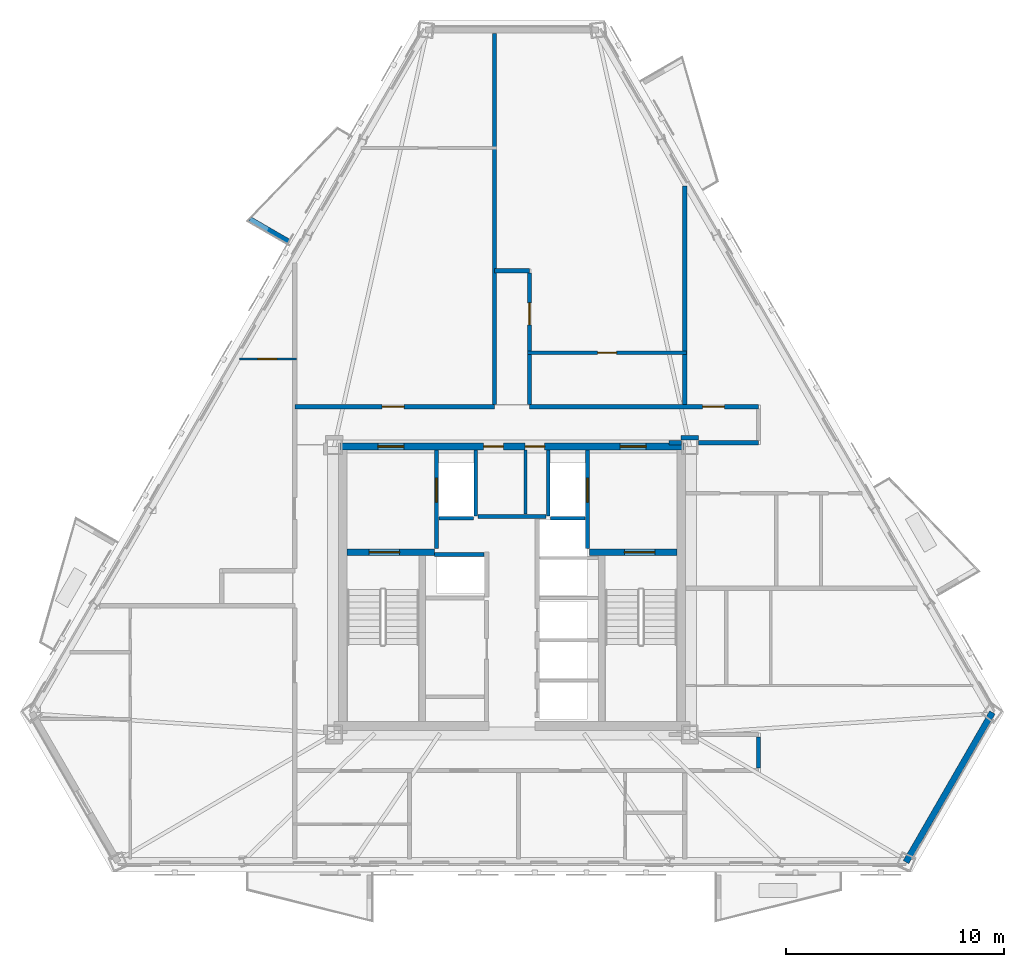
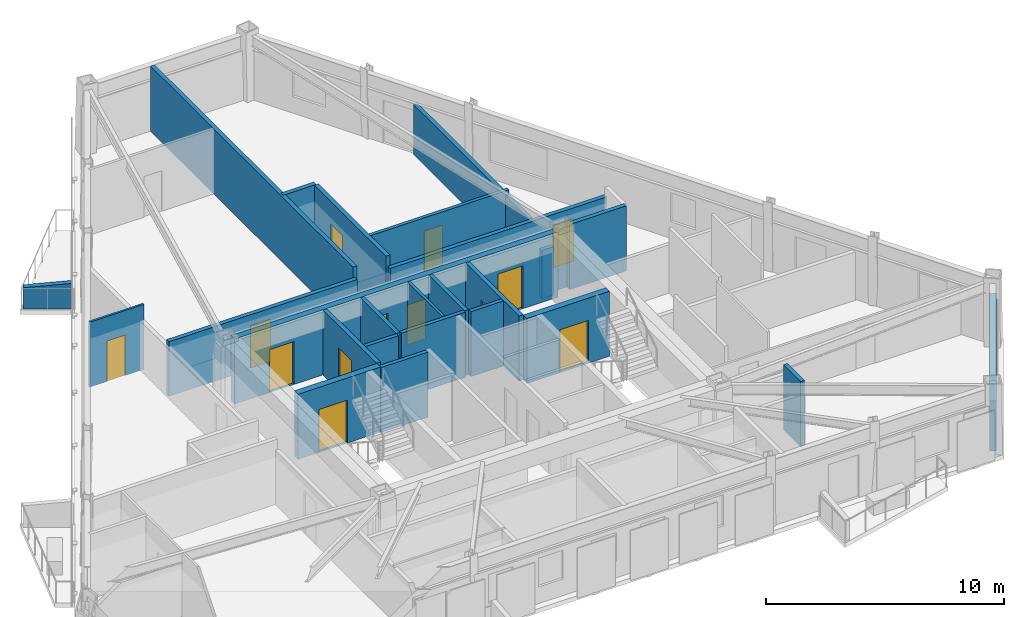
# One storey, part 4 of 9: 26 walls, 13 doors, 13 openings.
"""IFC4 building model written with IfcOpenShell, lengths in metres."""

import ifcopenshell
import ifcopenshell.guid

model = None  # the IFC model being written
_history = None  # IfcOwnerHistory: only IFC2X3 demands one
_inside = {}  # id of a spatial element -> (the spatial element, [elements in it])
_under = {}  # id of a project, library or spatial element -> (it, [spatial elements below it])
_declared = {}  # id of a project -> (the project, [libraries it declares])
_typed = {}  # id of a type object -> (the type object, [elements of that type])
_made_of = {}  # id of a material, layer set ... -> (it, [elements and type objects made of it])


def new_model(schema):
    """Start an empty IFC model of exactly this schema.

    Asked for "IFC4X3", IfcOpenShell would pick the latest addendum, in which some entities
    have other attributes; the version numbers below select the first issue.
    IFC2X3 requires an IfcOwnerHistory on every rooted entity: one is made here for all.
    """
    global model, _history
    if schema == "IFC4X3":
        model = ifcopenshell.file(schema_version=(4, 3, 0, 0))
    else:
        model = ifcopenshell.file(schema=schema)
    _inside.clear()
    _under.clear()
    _declared.clear()
    _typed.clear()
    _made_of.clear()
    _history = None
    if model.schema == "IFC2X3":
        org = make("IfcOrganization", Name="unknown")
        user = make(
            "IfcPersonAndOrganization",
            ThePerson=make("IfcPerson", FamilyName="unknown"),
            TheOrganization=org,
        )
        app = make(
            "IfcApplication",
            ApplicationDeveloper=org,
            Version="unknown",
            ApplicationFullName="unknown",
            ApplicationIdentifier="unknown",
        )
        _history = make(
            "IfcOwnerHistory",
            OwningUser=user,
            OwningApplication=app,
            ChangeAction="ADDED",
            CreationDate=0,
        )
    return model


def make(cls, **values):
    """One entity of the class cls with the attributes given. An attribute that is None is left unset."""
    return model.create_entity(
        cls, **{name: value for name, value in values.items() if value is not None}
    )


def rooted(cls, **values):
    """An entity with a GlobalId (a new one), such as an element, a storey or a relation."""
    return make(cls, GlobalId=ifcopenshell.guid.new(), OwnerHistory=_history, **values)


def si_unit(unit_type, name, prefix=None):
    """IfcSIUnit, for example si_unit("LENGTHUNIT", "METRE", prefix="MILLI")."""
    return make("IfcSIUnit", UnitType=unit_type, Prefix=prefix, Name=name)


def assignment(units):
    """IfcUnitAssignment: the units of a project."""
    return None if units is None else make("IfcUnitAssignment", Units=units)


def point(xyz):
    """IfcCartesianPoint."""
    return None if xyz is None else make("IfcCartesianPoint", Coordinates=xyz)


def direction(xyz):
    """IfcDirection."""
    return None if xyz is None else make("IfcDirection", DirectionRatios=xyz)


def frame(location, z_axis=None, x_axis=None):
    """IfcAxis2Placement3D, a coordinate frame: its origin and axes. An axis left out is left unset."""
    return make(
        "IfcAxis2Placement3D",
        Location=point(location),
        Axis=direction(z_axis),
        RefDirection=direction(x_axis),
    )


def frame_2d(location, x_axis=None):
    """IfcAxis2Placement2D, a coordinate frame in the plane: its origin and x axis."""
    return make(
        "IfcAxis2Placement2D", Location=point(location), RefDirection=direction(x_axis)
    )


def origin():
    """The frame at (0, 0, 0) with its axes left unset."""
    return frame((0.0, 0.0, 0.0))


def place(relative_to, where):
    """IfcLocalPlacement: puts the frame where relative to a parent placement (None: the world)."""
    return make(
        "IfcLocalPlacement", PlacementRelTo=relative_to, RelativePlacement=where
    )


def context(
    kind, dimensions, precision=None, world=None, true_north=None, identifier=None
):
    """IfcGeometricRepresentationContext, for example the 3D "Model" context."""
    return make(
        "IfcGeometricRepresentationContext",
        ContextIdentifier=identifier,
        ContextType=kind,
        CoordinateSpaceDimension=dimensions,
        Precision=precision,
        WorldCoordinateSystem=world,
        TrueNorth=true_north,
    )


def subcontext(parent, identifier, kind, view, scale=None):
    """IfcGeometricRepresentationSubContext, for example "Body" below "Model"."""
    return make(
        "IfcGeometricRepresentationSubContext",
        ContextIdentifier=identifier,
        ContextType=kind,
        ParentContext=parent,
        TargetScale=scale,
        TargetView=view,
    )


def project(units=None, contexts=None):
    """IfcProject with its units and contexts."""
    return rooted(
        "IfcProject",
        Name="project",
        RepresentationContexts=contexts,
        UnitsInContext=assignment(units),
    )


def spatial(cls, under=None, at=None, **own):
    """A site, building, storey or space (cls), placed at a placement, below another one or the project."""
    s = rooted(cls, ObjectPlacement=at, **own)
    if under is not None:
        _under.setdefault(under.id(), (under, []))[1].append(s)
    return s


def polyline(points):
    """IfcPolyline through the points."""
    return make("IfcPolyline", Points=[point(p) for p in points])


def profile(cls, at=None, kind="AREA", **sizes):
    """A parametric profile (cls). Its sizes go by their IFC names, for example OverallWidth=200.0."""
    return make(cls, ProfileType=kind, Position=at, **sizes)


def rectangle(**sizes):
    """IfcRectangleProfileDef."""
    return profile("IfcRectangleProfileDef", **sizes)


def outline(outer, holes=None, kind="AREA"):
    """IfcArbitraryClosedProfileDef: a profile drawn as a closed curve; with holes, ...WithVoids."""
    if holes is None:
        return make("IfcArbitraryClosedProfileDef", ProfileType=kind, OuterCurve=outer)
    return make(
        "IfcArbitraryProfileDefWithVoids",
        ProfileType=kind,
        OuterCurve=outer,
        InnerCurves=holes,
    )


def extrude(swept, where, along, depth):
    """IfcExtrudedAreaSolid: the profile swept, set in the frame where, extruded along a direction by depth."""
    return make(
        "IfcExtrudedAreaSolid",
        SweptArea=swept,
        Position=where,
        ExtrudedDirection=direction(along),
        Depth=depth,
    )


def shape(context_of_items, identifier, shape_type, items):
    """IfcShapeRepresentation: the items that make up one representation, for example the "Body"."""
    return make(
        "IfcShapeRepresentation",
        ContextOfItems=context_of_items,
        RepresentationIdentifier=identifier,
        RepresentationType=shape_type,
        Items=items,
    )


def material(Name=None, Category=None):
    """IfcMaterial."""
    return make("IfcMaterial", Name=Name, Category=Category)


def layer(
    of_material, thickness, ventilated=None, Name=None, Category=None, Priority=None
):
    """IfcMaterialLayer: one layer of a wall or slab, of a material (None: an air gap)."""
    return make(
        "IfcMaterialLayer",
        Material=of_material,
        LayerThickness=thickness,
        IsVentilated=ventilated,
        Name=Name,
        Category=Category,
        Priority=Priority,
    )


def layer_set(layers, Name=None):
    """IfcMaterialLayerSet."""
    return make("IfcMaterialLayerSet", MaterialLayers=layers, LayerSetName=Name)


def made_of(thing, what):
    """Note that an element or type object is made of a material, layer set ...; save() writes the relation."""
    if what is not None:
        _made_of.setdefault(what.id(), (what, []))[1].append(thing)
    return thing


def type_object(cls, material=None, **own):
    """A type object (cls), such as IfcWallType, which elements share."""
    return made_of(rooted(cls, **own), material)


def element(
    cls,
    number,
    at=None,
    inside=None,
    cuts=None,
    type_object=None,
    material=None,
    context=None,
    identifier="Body",
    shape_type=None,
    held_by="IfcProductDefinitionShape",
    body=None,
    shapes=None,
    **own,
):
    """One element of the class cls, such as IfcWall. Its Tag is "e" and its number.

    at: its placement. inside: the storey or other place that contains it. cuts: it is an
    opening in that element (IfcRelVoidsElement). A single representation is given by context,
    identifier, shape_type and body (its items); several are given by shapes. held_by: the class
    of the entity that holds the representations. save() writes the other relations.
    """
    e = rooted(cls, Tag="e%d" % number, ObjectPlacement=at, **own)
    if body is not None:
        shapes = [shape(context, identifier, shape_type, body)]
    if shapes is not None:
        e.Representation = make(held_by, Representations=shapes)
    if inside is not None:
        _inside.setdefault(inside.id(), (inside, []))[1].append(e)
    if cuts is not None:
        rooted(
            "IfcRelVoidsElement", RelatingBuildingElement=cuts, RelatedOpeningElement=e
        )
    if type_object is not None:
        _typed.setdefault(type_object.id(), (type_object, []))[1].append(e)
    return made_of(e, material)


def fill(opening, filler):
    """IfcRelFillsElement: the door or window that sits in an opening."""
    return rooted(
        "IfcRelFillsElement",
        RelatingOpeningElement=opening,
        RelatedBuildingElement=filler,
    )


def aggregate(whole, parts):
    """IfcRelAggregates: a whole, such as a stair, and the parts it consists of."""
    return rooted("IfcRelAggregates", RelatingObject=whole, RelatedObjects=parts)


def save(model, path):
    """Write the relations noted so far, then the file.

    IfcRelAggregates (storeys below a building ...), IfcRelContainedInSpatialStructure (elements
    in a storey), IfcRelDefinesByType, IfcRelAssociatesMaterial and IfcRelDeclares: one each for
    every whole, place, type object, material and project.
    """
    for whole, parts in _under.values():
        aggregate(whole, parts)
    for where, things in _inside.values():
        rooted(
            "IfcRelContainedInSpatialStructure",
            RelatedElements=things,
            RelatingStructure=where,
        )
    for kind, things in _typed.values():
        rooted("IfcRelDefinesByType", RelatedObjects=things, RelatingType=kind)
    for what, things in _made_of.values():
        rooted("IfcRelAssociatesMaterial", RelatedObjects=things, RelatingMaterial=what)
    for by, libraries in _declared.values():
        rooted("IfcRelDeclares", RelatingContext=by, RelatedDefinitions=libraries)
    model.write(path)


model = new_model("IFC4")

# Units and contexts
model_context = context("Model", 3, precision=1e-05, world=origin(), true_north=direction((0.0, 1.0)))
body_context = subcontext(model_context, "Body", "Model", "MODEL_VIEW")
ifc_project = project(units=[si_unit("LENGTHUNIT", "METRE"), si_unit("AREAUNIT", "SQUARE_METRE"), si_unit("VOLUMEUNIT", "CUBIC_METRE"), si_unit("PLANEANGLEUNIT", "RADIAN"), si_unit("MASSUNIT", "GRAM", prefix="KILO")], contexts=[model_context])

# Site, building, storey
site_placement = place(None, origin())
site = spatial("IfcSite", under=ifc_project, at=site_placement, CompositionType="ELEMENT")
building_placement = place(site_placement, origin())
building = spatial("IfcBuilding", under=site, at=building_placement, Name="Oramaril Tower", CompositionType="ELEMENT")
storey_placement = place(building_placement, frame((0.0, 0.0, 185.39990234375)))
storey = spatial("IfcBuildingStorey", under=building, at=storey_placement, Name="L49", CompositionType="ELEMENT", Elevation=185.39990234375)

# Walls
ifc_material_1 = material(Name="Warm Cream Limestone", Category="masonry")
ifc_layer_1 = layer(ifc_material_1, 0.2900390625)
ifc_layer_set_1 = layer_set([ifc_layer_1], Name="WT-EXT29")
wall_type_1 = type_object("IfcWallType", Name="WT-EXT29", PredefinedType="SOLIDWALL", material=ifc_layer_set_1)
wall_1_placement = place(storey_placement, frame((55.557373046875, 5.100341796875, 0.0), z_axis=(0.0, 0.0, 1.0), x_axis=(0.500003421258, 0.866023428511, 0.0)))
element("IfcWall", 1, at=wall_1_placement, inside=storey, type_object=wall_type_1, Name="L49 Tower Limestone Facade Wall 3M", PredefinedType="SOLIDWALL", context=body_context, shape_type="SweptSolid", body=[
    extrude(rectangle(XDim=7.9228515625, YDim=0.2900390625, at=frame_2d((3.96142578125, 0.0))), origin(), (0.0, 0.0, 1.0), 2.56005859375),
])
ifc_material_2 = material(Name="Concrete C40/50", Category="concrete")
ifc_layer_2 = layer(ifc_material_2, 0.22998046875)
ifc_layer_set_2 = layer_set([ifc_layer_2], Name="WT-PRP23")
wall_type_2 = type_object("IfcWallType", Name="WT-PRP23", PredefinedType="PARAPET", material=ifc_layer_set_2)
wall_2_placement = place(storey_placement, frame((27.256103515625, 33.55224609375, 0.0), z_axis=(0.0, 0.0, 1.0), x_axis=(-0.866012356593, 0.500022597718, 0.0)))
element("IfcWall", 2, at=wall_2_placement, inside=storey, type_object=wall_type_2, Name="L49 Trapezoidal Balcony Frame Cheek L49-BAL-NW1-R", PredefinedType="PARAPET", context=body_context, shape_type="SweptSolid", body=[
    extrude(outline(polyline([(0.0, 0.0), (2.0419921875, 0.0), (2.0419921875, 1.10009765625), (0.0, 1.320068359375), (0.0, 0.0)])), frame((0.0, 0.114990234375, 0.0), z_axis=(0.0, -1.0, 0.0), x_axis=(1.0, 0.0, 0.0)), (0.0, 0.0, 1.0), 0.22998046875),
])

# Wall, opening, door
ifc_material_3 = material(Name="Acoustic Gypsum Board Partition")
ifc_layer_3 = layer(ifc_material_3, 0.10009765625)
ifc_layer_set_3 = layer_set([ifc_layer_3], Name="WT-PT10")
wall_type_3 = type_object("IfcWallType", Name="WT-PT10", PredefinedType="PARTITIONING", material=ifc_layer_set_3)
wall_3_placement = place(storey_placement, frame((25.005615234375, 28.159912109375, 0.0), z_axis=(0.0, 0.0, 1.0), x_axis=(1.0, 0.0, 0.0)))
wall_3 = element("IfcWall", 3, at=wall_3_placement, inside=storey, type_object=wall_type_3, Name="L49 Interior Partition PT-10", PredefinedType="PARTITIONING", context=body_context, shape_type="SweptSolid", body=[
    extrude(rectangle(XDim=2.62646484375, YDim=0.10009765625, at=frame_2d((1.313232421875, 0.0))), origin(), (0.0, 0.0, 1.0), 3.340087890625),
])
opening_1_placement = place(wall_3_placement, frame((0.83349609375, 0.0, 0.0)))
opening_1 = element("IfcOpeningElement", 4, at=opening_1_placement, cuts=wall_3, Name="Opening D-L49-14", PredefinedType="OPENING", context=body_context, shape_type="SweptSolid", body=[
    extrude(rectangle(XDim=0.8798828125, YDim=2.080078125, at=frame_2d((0.43994140625, 1.0400390625))), frame((0.0, 0.050048828125, 0.0), z_axis=(0.0, -1.0, 0.0), x_axis=(1.0, 0.0, 0.0)), (0.0, 0.0, 1.0), 0.10009765625),
])
ifc_material_4 = material(Name="FSC Brazilian Freijo Hardwood", Category="wood")
door_type_1 = type_object("IfcDoorType", Name="DT-BATH", OperationType="NOTDEFINED", PredefinedType="DOOR", material=ifc_material_4)
door_1_placement = place(opening_1_placement, origin())
door_1 = element("IfcDoor", 5, at=door_1_placement, inside=storey, type_object=door_type_1, Name="L49 Flat L49-U4 Bathroom Door D-L49-14", OperationType="SINGLE_SWING_LEFT", OverallHeight=2.080078125, OverallWidth=0.8798828125, PredefinedType="DOOR", context=body_context, shape_type="SweptSolid", body=[
    extrude(rectangle(XDim=0.8798828125, YDim=2.080078125, at=frame_2d((0.43994140625, 1.0400390625))), frame((0.0, 0.02490234375, 0.0), z_axis=(0.0, -1.0, 0.0), x_axis=(1.0, 0.0, 0.0)), (0.0, 0.0, 1.0), 0.050048828125),
])
fill(opening_1, door_1)

# Wall
ifc_material_5 = material(Name="Acoustic Gypsum Board Partition")
ifc_layer_4 = layer(ifc_material_5, 0.139892578125)
ifc_layer_set_4 = layer_set([ifc_layer_4], Name="WT-PT14")
wall_type_4 = type_object("IfcWallType", Name="WT-PT14", PredefinedType="PARTITIONING", material=ifc_layer_set_4)
wall_4_placement = place(storey_placement, frame((38.110107421875, 21.06005859375, 0.0), z_axis=(0.0, 0.0, 1.0), x_axis=(0.0, 1.0, 0.0)))
element("IfcWall", 6, at=wall_4_placement, inside=storey, type_object=wall_type_4, Name="L49 Core Service Divider", PredefinedType="PARTITIONING", context=body_context, shape_type="SweptSolid", body=[
    extrude(rectangle(XDim=2.919921875, YDim=0.139892578125, at=frame_2d((1.4599609375, 0.0))), origin(), (0.0, 0.0, 1.0), 3.340087890625),
])

# Wall, opening, door
ifc_material_6 = material(Name="Acoustic Gypsum Board Partition")
ifc_layer_5 = layer(ifc_material_6, 0.159912109375)
ifc_layer_set_5 = layer_set([ifc_layer_5], Name="WT-PT16")
wall_type_5 = type_object("IfcWallType", Name="WT-PT16", PredefinedType="PARTITIONING", material=ifc_layer_set_5)
wall_5_placement = place(storey_placement, frame((38.218017578125, 28.449951171875, 0.0), z_axis=(0.0, 0.0, 1.0), x_axis=(1.0, 0.0, 0.0)))
wall_5 = element("IfcWall", 7, at=wall_5_placement, inside=storey, type_object=wall_type_5, Name="L49 Interior Partition PT-16", PredefinedType="PARTITIONING", context=body_context, shape_type="SweptSolid", body=[
    extrude(rectangle(XDim=7.283935546875, YDim=0.159912109375, at=frame_2d((3.64208984375, 0.0))), origin(), (0.0, 0.0, 1.0), 2.802001953125),
])
opening_2_placement = place(wall_5_placement, frame((3.201904296875, 0.0, 0.0)))
opening_2 = element("IfcOpeningElement", 8, at=opening_2_placement, cuts=wall_5, Name="Opening D-L49-15", PredefinedType="OPENING", context=body_context, shape_type="SweptSolid", body=[
    extrude(rectangle(XDim=0.8798828125, YDim=2.080078125, at=frame_2d((0.43994140625, 1.0400390625))), frame((0.0, 0.080078125, 0.0), z_axis=(0.0, -1.0, 0.0), x_axis=(1.0, 0.0, 0.0)), (0.0, 0.0, 1.0), 0.159912109375),
])
door_2_placement = place(opening_2_placement, origin())
door_2 = element("IfcDoor", 9, at=door_2_placement, inside=storey, type_object=door_type_1, Name="L49 Flat L49-U8 Bathroom Door D-L49-15", OperationType="SINGLE_SWING_RIGHT", OverallHeight=2.080078125, OverallWidth=0.8798828125, PredefinedType="DOOR", context=body_context, shape_type="SweptSolid", body=[
    extrude(rectangle(XDim=0.8798828125, YDim=2.080078125, at=frame_2d((0.43994140625, 1.0400390625))), frame((0.0, 0.02490234375, 0.0), z_axis=(0.0, -1.0, 0.0), x_axis=(1.0, 0.0, 0.0)), (0.0, 0.0, 1.0), 0.050048828125),
])
fill(opening_2, door_2)

# Walls
ifc_material_7 = material(Name="Autoclaved Cellular Concrete Block", Category="concrete")
ifc_layer_6 = layer(ifc_material_7, 0.179931640625)
ifc_layer_set_6 = layer_set([ifc_layer_6], Name="WT-PT18")
wall_type_6 = type_object("IfcWallType", Name="WT-PT18", PredefinedType="PARTITIONING", material=ifc_layer_set_6)
wall_6_placement = place(storey_placement, frame((35.840087890625, 20.9599609375, 0.0), z_axis=(0.0, 0.0, 1.0), x_axis=(0.0, 1.0, 0.0)))
element("IfcWall", 10, at=wall_6_placement, inside=storey, type_object=wall_type_6, Name="L49 FL-1 East Shaft Wall", PredefinedType="PARTITIONING", context=body_context, shape_type="SweptSolid", body=[
    extrude(rectangle(XDim=3.02001953125, YDim=0.179931640625, at=frame_2d((1.510009765625, 0.0))), origin(), (0.0, 0.0, 1.0), 3.340087890625),
])
wall_7_placement = place(storey_placement, frame((34.159912109375, 20.860107421875, 0.0), z_axis=(0.0, 0.0, 1.0), x_axis=(1.0, 0.0, 0.0)))
element("IfcWall", 11, at=wall_7_placement, inside=storey, type_object=wall_type_6, Name="L49 FL-1 South Shaft Wall", PredefinedType="PARTITIONING", context=body_context, shape_type="SweptSolid", body=[
    extrude(rectangle(XDim=1.580078125, YDim=0.179931640625, at=frame_2d((0.7900390625, 0.0))), origin(), (0.0, 0.0, 1.0), 3.340087890625),
])
wall_8_placement = place(storey_placement, frame((39.159912109375, 20.9599609375, 0.0), z_axis=(0.0, 0.0, 1.0), x_axis=(0.0, 1.0, 0.0)))
element("IfcWall", 12, at=wall_8_placement, inside=storey, type_object=wall_type_6, Name="L49 FL-2 West Shaft Wall", PredefinedType="PARTITIONING", context=body_context, shape_type="SweptSolid", body=[
    extrude(rectangle(XDim=3.02001953125, YDim=0.179931640625, at=frame_2d((1.510009765625, 0.0))), origin(), (0.0, 0.0, 1.0), 3.340087890625),
])
wall_9_placement = place(storey_placement, frame((39.260009765625, 20.860107421875, 0.0), z_axis=(0.0, 0.0, 1.0), x_axis=(1.0, 0.0, 0.0)))
element("IfcWall", 13, at=wall_9_placement, inside=storey, type_object=wall_type_6, Name="L49 FL-2 South Shaft Wall", PredefinedType="PARTITIONING", context=body_context, shape_type="SweptSolid", body=[
    extrude(rectangle(XDim=1.580078125, YDim=0.179931640625, at=frame_2d((0.7900390625, 0.0))), origin(), (0.0, 0.0, 1.0), 3.340087890625),
])
wall_10_placement = place(storey_placement, frame((33.949951171875, 19.199951171875, 0.0), z_axis=(0.0, 0.0, 1.0), x_axis=(1.0, 0.0, 0.0)))
element("IfcWall", 14, at=wall_10_placement, inside=storey, type_object=wall_type_6, Name="L49 High-Rise Lift H1 North Shaft Wall", PredefinedType="PARTITIONING", context=body_context, shape_type="SweptSolid", body=[
    extrude(rectangle(XDim=2.27001953125, YDim=0.179931640625, at=frame_2d((1.135009765625, 0.0))), origin(), (0.0, 0.0, 1.0), 3.340087890625),
])
wall_11_placement = place(storey_placement, frame((35.949951171875, 20.949951171875, 0.0), z_axis=(0.0, 0.0, 1.0), x_axis=(1.0, 0.0, 0.0)))
element("IfcWall", 15, at=wall_11_placement, inside=storey, type_object=wall_type_6, Name="L49 Lift Lobby North Partition", PredefinedType="PARTITIONING", context=body_context, shape_type="SweptSolid", body=[
    extrude(rectangle(XDim=3.10009765625, YDim=0.179931640625, at=frame_2d((1.550048828125, 0.0))), origin(), (0.0, 0.0, 1.0), 3.340087890625),
])
ifc_material_8 = material(Name="Autoclaved Cellular Concrete Block", Category="concrete")
ifc_layer_7 = layer(ifc_material_8, 0.199951171875)
ifc_layer_set_7 = layer_set([ifc_layer_7], Name="WT-PT20")
wall_type_7 = type_object("IfcWallType", Name="WT-PT20", PredefinedType="PARTITIONING", material=ifc_layer_set_7)
wall_12_placement = place(storey_placement, frame((44.695068359375, 24.320068359375, 0.0), z_axis=(0.0, 0.0, 1.0), x_axis=(1.0, 0.0, 0.0)))
element("IfcWall", 16, at=wall_12_placement, inside=storey, type_object=wall_type_7, Name="L49 Interior Partition PT-20", PredefinedType="PARTITIONING", context=body_context, shape_type="SweptSolid", body=[
    extrude(rectangle(XDim=0.56494140625, YDim=0.199951171875, at=frame_2d((0.282470703125, 0.0))), origin(), (0.0, 0.0, 1.0), 2.47998046875),
])
wall_13_placement = place(storey_placement, frame((46.0400390625, 24.320068359375, 0.0), z_axis=(0.0, 0.0, 1.0), x_axis=(1.0, 0.0, 0.0)))
element("IfcWall", 17, at=wall_13_placement, inside=storey, type_object=wall_type_7, Name="L49 Interior Partition PT-20", PredefinedType="PARTITIONING", context=body_context, shape_type="SweptSolid", body=[
    extrude(rectangle(XDim=2.760009765625, YDim=0.199951171875, at=frame_2d((1.3798828125, 0.0))), origin(), (0.0, 0.0, 1.0), 3.340087890625),
])
wall_14_placement = place(storey_placement, frame((45.2548828125, 24.550048828125, 0.0), z_axis=(0.0, 0.0, 1.0), x_axis=(1.0, 0.0, 0.0)))
element("IfcWall", 18, at=wall_14_placement, inside=storey, type_object=wall_type_7, Name="L49 Interior Partition PT-20", PredefinedType="PARTITIONING", context=body_context, shape_type="SweptSolid", body=[
    extrude(rectangle(XDim=0.7900390625, YDim=0.199951171875, at=frame_2d((0.39501953125, 0.0))), origin(), (0.0, 0.0, 1.0), 2.802001953125),
])

# Wall, opening, door
wall_15_placement = place(storey_placement, frame((27.550048828125, 25.969970703125, 0.0), z_axis=(0.0, 0.0, 1.0), x_axis=(1.0, 0.0, 0.0)))
wall_15 = element("IfcWall", 19, at=wall_15_placement, inside=storey, type_object=wall_type_7, Name="L49 Interior Partition PT-20", PredefinedType="PARTITIONING", context=body_context, shape_type="SweptSolid", body=[
    extrude(rectangle(XDim=9.14990234375, YDim=0.199951171875, at=frame_2d((4.574951171875, 0.0))), origin(), (0.0, 0.0, 1.0), 2.802001953125),
])
opening_3_placement = place(wall_15_placement, frame((4.000732421875, 0.0, 0.0)))
opening_3 = element("IfcOpeningElement", 20, at=opening_3_placement, cuts=wall_15, Name="Opening D-L49-12", PredefinedType="OPENING", context=body_context, shape_type="SweptSolid", body=[
    extrude(rectangle(XDim=1.0, YDim=2.179931640625, at=frame_2d((0.5, 1.08984375))), frame((0.0, 0.10009765625, 0.0), z_axis=(0.0, -1.0, 0.0), x_axis=(1.0, 0.0, 0.0)), (0.0, 0.0, 1.0), 0.199951171875),
])
ifc_material_9 = material(Name="FSC Brazilian Freijo Hardwood", Category="wood")
door_type_2 = type_object("IfcDoorType", Name="DT-APT", OperationType="NOTDEFINED", PredefinedType="DOOR", material=ifc_material_9)
door_3_placement = place(opening_3_placement, origin())
door_3 = element("IfcDoor", 21, at=door_3_placement, inside=storey, type_object=door_type_2, Name="L49 Flat L49-U7 Kitchen and Studio Apartment Door D-L49-12", OperationType="SINGLE_SWING_LEFT", OverallHeight=2.179931640625, OverallWidth=1.0, PredefinedType="DOOR", context=body_context, shape_type="SweptSolid", body=[
    extrude(rectangle(XDim=1.0, YDim=2.179931640625, at=frame_2d((0.5, 1.08984375))), frame((0.0, 0.02490234375, 0.0), z_axis=(0.0, -1.0, 0.0), x_axis=(1.0, 0.0, 0.0)), (0.0, 0.0, 1.0), 0.050048828125),
])
fill(opening_3, door_3)

wall_16_placement = place(storey_placement, frame((38.300048828125, 25.969970703125, 0.0), z_axis=(0.0, 0.0, 1.0), x_axis=(1.0, 0.0, 0.0)))
wall_16 = element("IfcWall", 22, at=wall_16_placement, inside=storey, type_object=wall_type_7, Name="L49 Interior Partition PT-20", PredefinedType="PARTITIONING", context=body_context, shape_type="SweptSolid", body=[
    extrude(rectangle(XDim=10.5, YDim=0.199951171875, at=frame_2d((5.25, 0.0))), origin(), (0.0, 0.0, 1.0), 2.802001953125),
])
opening_4_placement = place(wall_16_placement, frame((7.931884765625, 0.0, 0.0)))
opening_4 = element("IfcOpeningElement", 23, at=opening_4_placement, cuts=wall_16, Name="Opening D-L49-13", PredefinedType="OPENING", context=body_context, shape_type="SweptSolid", body=[
    extrude(rectangle(XDim=1.0, YDim=2.179931640625, at=frame_2d((0.5, 1.08984375))), frame((0.0, 0.10009765625, 0.0), z_axis=(0.0, -1.0, 0.0), x_axis=(1.0, 0.0, 0.0)), (0.0, 0.0, 1.0), 0.199951171875),
])
door_4_placement = place(opening_4_placement, origin())
door_4 = element("IfcDoor", 24, at=door_4_placement, inside=storey, type_object=door_type_2, Name="L49 Flat L49-U6 Living and Dining Room Door D-L49-13", OperationType="SINGLE_SWING_RIGHT", OverallHeight=2.179931640625, OverallWidth=1.0, PredefinedType="DOOR", context=body_context, shape_type="SweptSolid", body=[
    extrude(rectangle(XDim=1.0, YDim=2.179931640625, at=frame_2d((0.5, 1.08984375))), frame((0.0, 0.02490234375, 0.0), z_axis=(0.0, -1.0, 0.0), x_axis=(1.0, 0.0, 0.0)), (0.0, 0.0, 1.0), 0.050048828125),
])
fill(opening_4, door_4)

# Walls
wall_17_placement = place(storey_placement, frame((36.699951171875, 32.199951171875, 0.0), z_axis=(0.0, 0.0, 1.0), x_axis=(1.0, 0.0, 0.0)))
element("IfcWall", 25, at=wall_17_placement, inside=storey, type_object=wall_type_7, Name="L49 Interior Partition PT-20", PredefinedType="PARTITIONING", context=body_context, shape_type="SweptSolid", body=[
    extrude(rectangle(XDim=1.60009765625, YDim=0.199951171875, at=frame_2d((0.800048828125, 0.0))), origin(), (0.0, 0.0, 1.0), 3.340087890625),
])
wall_18_placement = place(storey_placement, frame((36.699951171875, 26.073974609375, 0.0), z_axis=(0.0, 0.0, 1.0), x_axis=(0.0, 1.0, 0.0)))
element("IfcWall", 26, at=wall_18_placement, inside=storey, type_object=wall_type_7, Name="L49 Interior Partition PT-20", PredefinedType="PARTITIONING", context=body_context, shape_type="SweptSolid", body=[
    extrude(rectangle(XDim=17.014892578125, YDim=0.199951171875, at=frame_2d((8.50732421875, 0.0))), origin(), (0.0, 0.0, 1.0), 3.340087890625),
])

# Wall, opening, door
wall_19_placement = place(storey_placement, frame((38.300048828125, 26.073974609375, 0.0), z_axis=(0.0, 0.0, 1.0), x_axis=(0.0, 1.0, 0.0)))
wall_19 = element("IfcWall", 27, at=wall_19_placement, inside=storey, type_object=wall_type_7, Name="L49 Interior Partition PT-20", PredefinedType="PARTITIONING", context=body_context, shape_type="SweptSolid", body=[
    extrude(rectangle(XDim=6.02197265625, YDim=0.199951171875, at=frame_2d((3.010986328125, 0.0))), origin(), (0.0, 0.0, 1.0), 3.340087890625),
])
opening_5_placement = place(wall_19_placement, frame((3.655517578125, 0.0, 0.0)))
opening_5 = element("IfcOpeningElement", 28, at=opening_5_placement, cuts=wall_19, Name="Opening D-L49-22", PredefinedType="OPENING", context=body_context, shape_type="SweptSolid", body=[
    extrude(rectangle(XDim=1.0, YDim=2.179931640625, at=frame_2d((0.5, 1.08984375))), frame((0.0, 0.10009765625, 0.0), z_axis=(0.0, -1.0, 0.0), x_axis=(1.0, 0.0, 0.0)), (0.0, 0.0, 1.0), 0.199951171875),
])
door_5_placement = place(opening_5_placement, origin())
door_5 = element("IfcDoor", 29, at=door_5_placement, inside=storey, type_object=door_type_2, Name="L49 Flat L49-U8 Kitchen and Studio Apartment Door D-L49-22", OperationType="SINGLE_SWING_LEFT", OverallHeight=2.179931640625, OverallWidth=1.0, PredefinedType="DOOR", context=body_context, shape_type="SweptSolid", body=[
    extrude(rectangle(XDim=1.0, YDim=2.179931640625, at=frame_2d((0.5, 1.08984375))), frame((0.0, 0.02490234375, 0.0), z_axis=(0.0, -1.0, 0.0), x_axis=(1.0, 0.0, 0.0)), (0.0, 0.0, 1.0), 0.050048828125),
])
fill(opening_5, door_5)

# Walls
wall_20_placement = place(storey_placement, frame((45.419921875, 26.073974609375, 0.0), z_axis=(0.0, 0.0, 1.0), x_axis=(0.0, 1.0, 0.0)))
element("IfcWall", 30, at=wall_20_placement, inside=storey, type_object=wall_type_7, Name="L49 Interior Partition PT-20", PredefinedType="PARTITIONING", context=body_context, shape_type="SweptSolid", body=[
    extrude(rectangle(XDim=10.00927734375, YDim=0.199951171875, at=frame_2d((5.004638671875, 0.0))), origin(), (0.0, 0.0, 1.0), 2.56005859375),
])
wall_21_placement = place(storey_placement, frame((48.800048828125, 9.404052734375, 0.0), z_axis=(0.0, 0.0, 1.0), x_axis=(0.0, 1.0, 0.0)))
element("IfcWall", 31, at=wall_21_placement, inside=storey, type_object=wall_type_7, Name="L49 Interior Partition PT-20", PredefinedType="PARTITIONING", context=body_context, shape_type="SweptSolid", body=[
    extrude(rectangle(XDim=1.44189453125, YDim=0.199951171875, at=frame_2d((0.720947265625, 0.0))), origin(), (0.0, 0.0, 1.0), 3.340087890625),
])

# Wall, openings, doors
ifc_material_10 = material(Name="Concrete C50/60", Category="concrete")
ifc_layer_8 = layer(ifc_material_10, 0.300048828125)
ifc_layer_set_8 = layer_set([ifc_layer_8], Name="WT-SH30")
wall_type_8 = type_object("IfcWallType", Name="WT-SH30", PredefinedType="SHEAR", material=ifc_layer_set_8)
wall_22_placement = place(storey_placement, frame((29.64990234375, 24.14990234375, 0.0), z_axis=(0.0, 0.0, 1.0), x_axis=(1.0, 0.0, 0.0)))
wall_22 = element("IfcWall", 32, at=wall_22_placement, inside=storey, type_object=wall_type_8, Name="L49 Core Shear Wall CW-N", PredefinedType="SHEAR", context=body_context, shape_type="SweptSolid", body=[
    extrude(rectangle(XDim=15.7001953125, YDim=0.300048828125, at=frame_2d((7.85009765625, 0.0))), origin(), (0.0, 0.0, 1.0), 3.340087890625),
])
opening_6_placement = place(wall_22_placement, frame((1.699951171875, 0.0, 0.0)))
opening_6 = element("IfcOpeningElement", 33, at=opening_6_placement, cuts=wall_22, Name="Opening D-L49-FFL1", PredefinedType="OPENING", context=body_context, shape_type="SweptSolid", body=[
    extrude(rectangle(XDim=1.199951171875, YDim=2.199951171875, at=frame_2d((0.60009765625, 1.10009765625))), frame((0.0, 0.14990234375, 0.0), z_axis=(0.0, -1.0, 0.0), x_axis=(1.0, 0.0, 0.0)), (0.0, 0.0, 1.0), 0.300048828125),
])
opening_7_placement = place(wall_22_placement, frame((12.800048828125, 0.0, 0.0)))
opening_7 = element("IfcOpeningElement", 34, at=opening_7_placement, cuts=wall_22, Name="Opening D-L49-FFL2", PredefinedType="OPENING", context=body_context, shape_type="SweptSolid", body=[
    extrude(rectangle(XDim=1.199951171875, YDim=2.199951171875, at=frame_2d((0.60009765625, 1.10009765625))), frame((0.0, 0.14990234375, 0.0), z_axis=(0.0, -1.0, 0.0), x_axis=(1.0, 0.0, 0.0)), (0.0, 0.0, 1.0), 0.300048828125),
])
opening_8_placement = place(wall_22_placement, frame((6.550048828125, 0.0, 0.0)))
opening_8 = element("IfcOpeningElement", 35, at=opening_8_placement, cuts=wall_22, Name="Opening D-L49-SV1", PredefinedType="OPENING", context=body_context, shape_type="SweptSolid", body=[
    extrude(rectangle(XDim=0.89990234375, YDim=2.050048828125, at=frame_2d((0.449951171875, 1.02490234375))), frame((0.0, 0.14990234375, 0.0), z_axis=(0.0, -1.0, 0.0), x_axis=(1.0, 0.0, 0.0)), (0.0, 0.0, 1.0), 0.300048828125),
])
opening_9_placement = place(wall_22_placement, frame((8.449951171875, 0.0, 0.0)))
opening_9 = element("IfcOpeningElement", 36, at=opening_9_placement, cuts=wall_22, Name="Opening D-L49-SV2", PredefinedType="OPENING", context=body_context, shape_type="SweptSolid", body=[
    extrude(rectangle(XDim=0.89990234375, YDim=2.050048828125, at=frame_2d((0.449951171875, 1.02490234375))), frame((0.0, 0.14990234375, 0.0), z_axis=(0.0, -1.0, 0.0), x_axis=(1.0, 0.0, 0.0)), (0.0, 0.0, 1.0), 0.300048828125),
])
ifc_material_11 = material(Name="Painted Galvanised Steel", Category="steel")
door_type_3 = type_object("IfcDoorType", Name="DT-FFL", OperationType="NOTDEFINED", PredefinedType="DOOR", material=ifc_material_11)
door_6_placement = place(opening_6_placement, origin())
door_6 = element("IfcDoor", 37, at=door_6_placement, inside=storey, type_object=door_type_3, Name="L49 Firefighting Lobby 1 Fire Door", OperationType="SINGLE_SWING_LEFT", OverallHeight=2.199951171875, OverallWidth=1.199951171875, PredefinedType="DOOR", context=body_context, shape_type="SweptSolid", body=[
    extrude(rectangle(XDim=1.199951171875, YDim=2.199951171875, at=frame_2d((0.60009765625, 1.10009765625))), frame((0.0, 0.02490234375, 0.0), z_axis=(0.0, -1.0, 0.0), x_axis=(1.0, 0.0, 0.0)), (0.0, 0.0, 1.0), 0.050048828125),
])
fill(opening_6, door_6)
door_7_placement = place(opening_7_placement, origin())
door_7 = element("IfcDoor", 38, at=door_7_placement, inside=storey, type_object=door_type_3, Name="L49 Firefighting Lobby 2 Fire Door", OperationType="SINGLE_SWING_RIGHT", OverallHeight=2.199951171875, OverallWidth=1.199951171875, PredefinedType="DOOR", context=body_context, shape_type="SweptSolid", body=[
    extrude(rectangle(XDim=1.199951171875, YDim=2.199951171875, at=frame_2d((0.60009765625, 1.10009765625))), frame((0.0, 0.02490234375, 0.0), z_axis=(0.0, -1.0, 0.0), x_axis=(1.0, 0.0, 0.0)), (0.0, 0.0, 1.0), 0.050048828125),
])
fill(opening_7, door_7)
ifc_material_12 = material(Name="Painted Galvanised Steel", Category="steel")
door_type_4 = type_object("IfcDoorType", Name="DT-SVC", OperationType="NOTDEFINED", PredefinedType="DOOR", material=ifc_material_12)
door_8_placement = place(opening_8_placement, origin())
door_8 = element("IfcDoor", 39, at=door_8_placement, inside=storey, type_object=door_type_4, Name="L49 Core Service Store 1 Door", OperationType="SINGLE_SWING_LEFT", OverallHeight=2.050048828125, OverallWidth=0.89990234375, PredefinedType="DOOR", context=body_context, shape_type="SweptSolid", body=[
    extrude(rectangle(XDim=0.89990234375, YDim=2.050048828125, at=frame_2d((0.449951171875, 1.02490234375))), frame((0.0, 0.02490234375, 0.0), z_axis=(0.0, -1.0, 0.0), x_axis=(1.0, 0.0, 0.0)), (0.0, 0.0, 1.0), 0.050048828125),
])
fill(opening_8, door_8)
door_9_placement = place(opening_9_placement, origin())
door_9 = element("IfcDoor", 40, at=door_9_placement, inside=storey, type_object=door_type_4, Name="L49 Core Service Store 2 Door", OperationType="SINGLE_SWING_RIGHT", OverallHeight=2.050048828125, OverallWidth=0.89990234375, PredefinedType="DOOR", context=body_context, shape_type="SweptSolid", body=[
    extrude(rectangle(XDim=0.89990234375, YDim=2.050048828125, at=frame_2d((0.449951171875, 1.02490234375))), frame((0.0, 0.02490234375, 0.0), z_axis=(0.0, -1.0, 0.0), x_axis=(1.0, 0.0, 0.0)), (0.0, 0.0, 1.0), 0.050048828125),
])
fill(opening_9, door_9)

# Wall, opening, door
wall_23_placement = place(storey_placement, frame((29.93994140625, 19.31005859375, 0.0), z_axis=(0.0, 0.0, 1.0), x_axis=(1.0, 0.0, 0.0)))
wall_23 = element("IfcWall", 41, at=wall_23_placement, inside=storey, type_object=wall_type_8, Name="L49 Core Shear Wall CW-ST1N", PredefinedType="SHEAR", context=body_context, shape_type="SweptSolid", body=[
    extrude(rectangle(XDim=4.010009765625, YDim=0.300048828125, at=frame_2d((2.0048828125, 0.0))), origin(), (0.0, 0.0, 1.0), 3.340087890625),
])
opening_10_placement = place(wall_23_placement, frame((1.010009765625, 0.0, 0.0)))
opening_10 = element("IfcOpeningElement", 42, at=opening_10_placement, cuts=wall_23, Name="Opening D-L49-ST1", PredefinedType="OPENING", context=body_context, shape_type="SweptSolid", body=[
    extrude(rectangle(XDim=1.39990234375, YDim=2.199951171875, at=frame_2d((0.699951171875, 1.10009765625))), frame((0.0, 0.14990234375, 0.0), z_axis=(0.0, -1.0, 0.0), x_axis=(1.0, 0.0, 0.0)), (0.0, 0.0, 1.0), 0.300048828125),
])
ifc_material_13 = material(Name="Painted Galvanised Steel", Category="steel")
door_type_5 = type_object("IfcDoorType", Name="DT-ST", OperationType="NOTDEFINED", PredefinedType="DOOR", material=ifc_material_13)
door_10_placement = place(opening_10_placement, origin())
door_10 = element("IfcDoor", 43, at=door_10_placement, inside=storey, type_object=door_type_5, Name="L49 Protected Stair ST-1 Fire Door", OperationType="SINGLE_SWING_LEFT", OverallHeight=2.199951171875, OverallWidth=1.39990234375, PredefinedType="DOOR", context=body_context, shape_type="SweptSolid", body=[
    extrude(rectangle(XDim=1.39990234375, YDim=2.199951171875, at=frame_2d((0.699951171875, 1.10009765625))), frame((0.0, 0.02490234375, 0.0), z_axis=(0.0, -1.0, 0.0), x_axis=(1.0, 0.0, 0.0)), (0.0, 0.0, 1.0), 0.050048828125),
])
fill(opening_10, door_10)

wall_24_placement = place(storey_placement, frame((41.050048828125, 19.31005859375, 0.0), z_axis=(0.0, 0.0, 1.0), x_axis=(1.0, 0.0, 0.0)))
wall_24 = element("IfcWall", 44, at=wall_24_placement, inside=storey, type_object=wall_type_8, Name="L49 Core Shear Wall CW-ST2N", PredefinedType="SHEAR", context=body_context, shape_type="SweptSolid", body=[
    extrude(rectangle(XDim=4.010009765625, YDim=0.300048828125, at=frame_2d((2.0048828125, 0.0))), origin(), (0.0, 0.0, 1.0), 3.340087890625),
])
opening_11_placement = place(wall_24_placement, frame((1.60009765625, 0.0, 0.0)))
opening_11 = element("IfcOpeningElement", 45, at=opening_11_placement, cuts=wall_24, Name="Opening D-L49-ST2", PredefinedType="OPENING", context=body_context, shape_type="SweptSolid", body=[
    extrude(rectangle(XDim=1.39990234375, YDim=2.199951171875, at=frame_2d((0.699951171875, 1.10009765625))), frame((0.0, 0.14990234375, 0.0), z_axis=(0.0, -1.0, 0.0), x_axis=(1.0, 0.0, 0.0)), (0.0, 0.0, 1.0), 0.300048828125),
])
door_11_placement = place(opening_11_placement, origin())
door_11 = element("IfcDoor", 46, at=door_11_placement, inside=storey, type_object=door_type_5, Name="L49 Protected Stair ST-2 Fire Door", OperationType="SINGLE_SWING_RIGHT", OverallHeight=2.199951171875, OverallWidth=1.39990234375, PredefinedType="DOOR", context=body_context, shape_type="SweptSolid", body=[
    extrude(rectangle(XDim=1.39990234375, YDim=2.199951171875, at=frame_2d((0.699951171875, 1.10009765625))), frame((0.0, 0.02490234375, 0.0), z_axis=(0.0, -1.0, 0.0), x_axis=(1.0, 0.0, 0.0)), (0.0, 0.0, 1.0), 0.050048828125),
])
fill(opening_11, door_11)

ifc_material_14 = material(Name="Autoclaved Cellular Concrete Block", Category="concrete")
ifc_layer_9 = layer(ifc_material_14, 0.199951171875)
ifc_layer_set_9 = layer_set([ifc_layer_9], Name="WT-SHF20")
wall_type_9 = type_object("IfcWallType", Name="WT-SHF20", PredefinedType="PARTITIONING", material=ifc_layer_set_9)
wall_25_placement = place(storey_placement, frame((34.0400390625, 19.47998046875, 0.0), z_axis=(0.0, 0.0, 1.0), x_axis=(0.0, 1.0, 0.0)))
wall_25 = element("IfcWall", 47, at=wall_25_placement, inside=storey, type_object=wall_type_9, Name="L49 FL-1 Lobby Shaft Wall", PredefinedType="PARTITIONING", context=body_context, shape_type="SweptSolid", body=[
    extrude(rectangle(XDim=4.5, YDim=0.199951171875, at=frame_2d((2.25, 0.0))), origin(), (0.0, 0.0, 1.0), 3.340087890625),
])
opening_12_placement = place(wall_25_placement, frame((2.1201171875, 0.0, 0.0)))
opening_12 = element("IfcOpeningElement", 48, at=opening_12_placement, cuts=wall_25, Name="Opening LD-L49-FL-1", PredefinedType="OPENING", context=body_context, shape_type="SweptSolid", body=[
    extrude(rectangle(XDim=1.10009765625, YDim=2.199951171875, at=frame_2d((0.550048828125, 1.10009765625))), frame((0.0, 0.10009765625, 0.0), z_axis=(0.0, -1.0, 0.0), x_axis=(1.0, 0.0, 0.0)), (0.0, 0.0, 1.0), 0.199951171875),
])
ifc_material_15 = material(Name="Stainless Steel 316L", Category="steel")
door_type_6 = type_object("IfcDoorType", Name="DT-LD1", OperationType="NOTDEFINED", PredefinedType="DOOR", material=ifc_material_15)
door_12_placement = place(opening_12_placement, origin())
door_12 = element("IfcDoor", 49, at=door_12_placement, inside=storey, type_object=door_type_6, Name="L49 Lift FL-1 Sliding Landing Door", OperationType="SLIDING_TO_LEFT", OverallHeight=2.199951171875, OverallWidth=1.10009765625, PredefinedType="DOOR", context=body_context, shape_type="SweptSolid", body=[
    extrude(rectangle(XDim=1.10009765625, YDim=2.199951171875, at=frame_2d((0.550048828125, 1.10009765625))), frame((0.0, 0.02490234375, 0.0), z_axis=(0.0, -1.0, 0.0), x_axis=(1.0, 0.0, 0.0)), (0.0, 0.0, 1.0), 0.050048828125),
])
fill(opening_12, door_12)

wall_26_placement = place(storey_placement, frame((40.9599609375, 19.47998046875, 0.0), z_axis=(0.0, 0.0, 1.0), x_axis=(0.0, 1.0, 0.0)))
wall_26 = element("IfcWall", 50, at=wall_26_placement, inside=storey, type_object=wall_type_9, Name="L49 FL-2 Lobby Shaft Wall", PredefinedType="PARTITIONING", context=body_context, shape_type="SweptSolid", body=[
    extrude(rectangle(XDim=4.5, YDim=0.199951171875, at=frame_2d((2.25, 0.0))), origin(), (0.0, 0.0, 1.0), 3.340087890625),
])
opening_13_placement = place(wall_26_placement, frame((2.1201171875, 0.0, 0.0)))
opening_13 = element("IfcOpeningElement", 51, at=opening_13_placement, cuts=wall_26, Name="Opening LD-L49-FL-2", PredefinedType="OPENING", context=body_context, shape_type="SweptSolid", body=[
    extrude(rectangle(XDim=1.10009765625, YDim=2.199951171875, at=frame_2d((0.550048828125, 1.10009765625))), frame((0.0, 0.10009765625, 0.0), z_axis=(0.0, -1.0, 0.0), x_axis=(1.0, 0.0, 0.0)), (0.0, 0.0, 1.0), 0.199951171875),
])
door_13_placement = place(opening_13_placement, origin())
door_13 = element("IfcDoor", 52, at=door_13_placement, inside=storey, type_object=door_type_6, Name="L49 Lift FL-2 Sliding Landing Door", OperationType="SLIDING_TO_RIGHT", OverallHeight=2.199951171875, OverallWidth=1.10009765625, PredefinedType="DOOR", context=body_context, shape_type="SweptSolid", body=[
    extrude(rectangle(XDim=1.10009765625, YDim=2.199951171875, at=frame_2d((0.550048828125, 1.10009765625))), frame((0.0, 0.02490234375, 0.0), z_axis=(0.0, -1.0, 0.0), x_axis=(1.0, 0.0, 0.0)), (0.0, 0.0, 1.0), 0.050048828125),
])
fill(opening_13, door_13)

save(model, "model.ifc")
